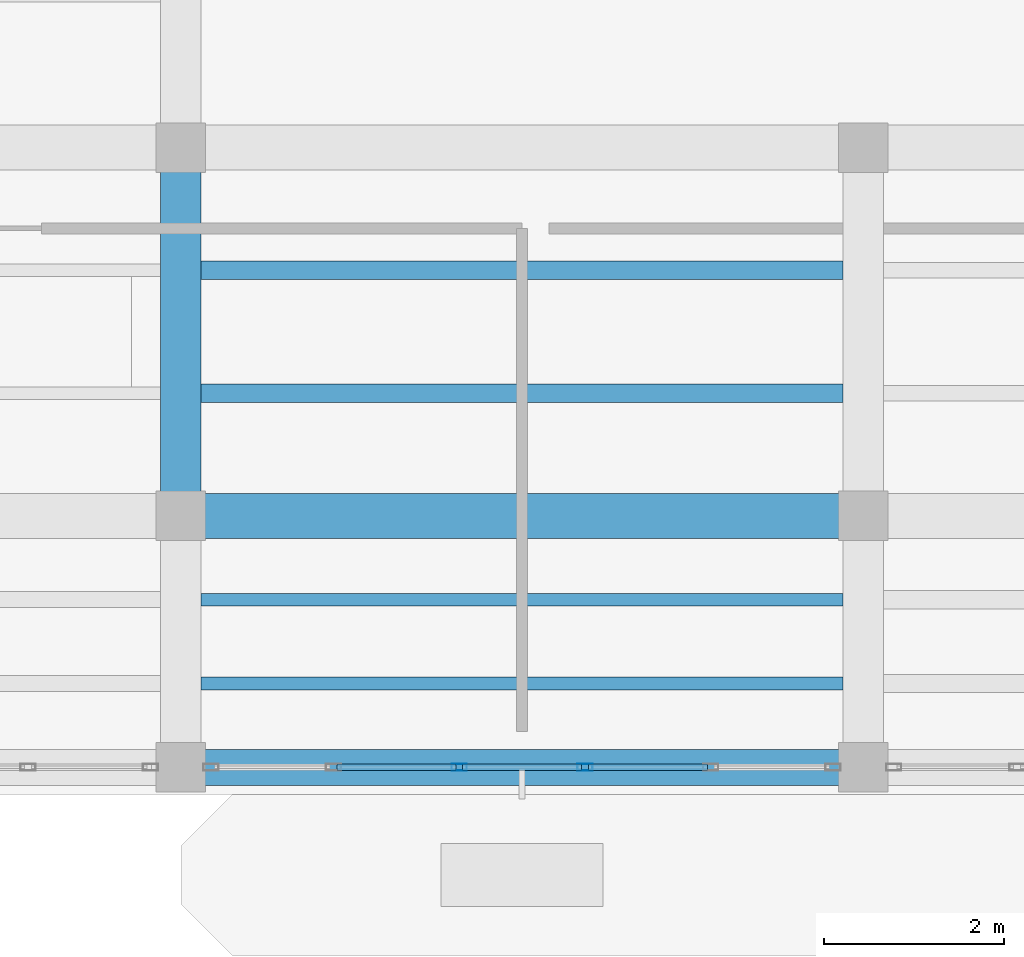
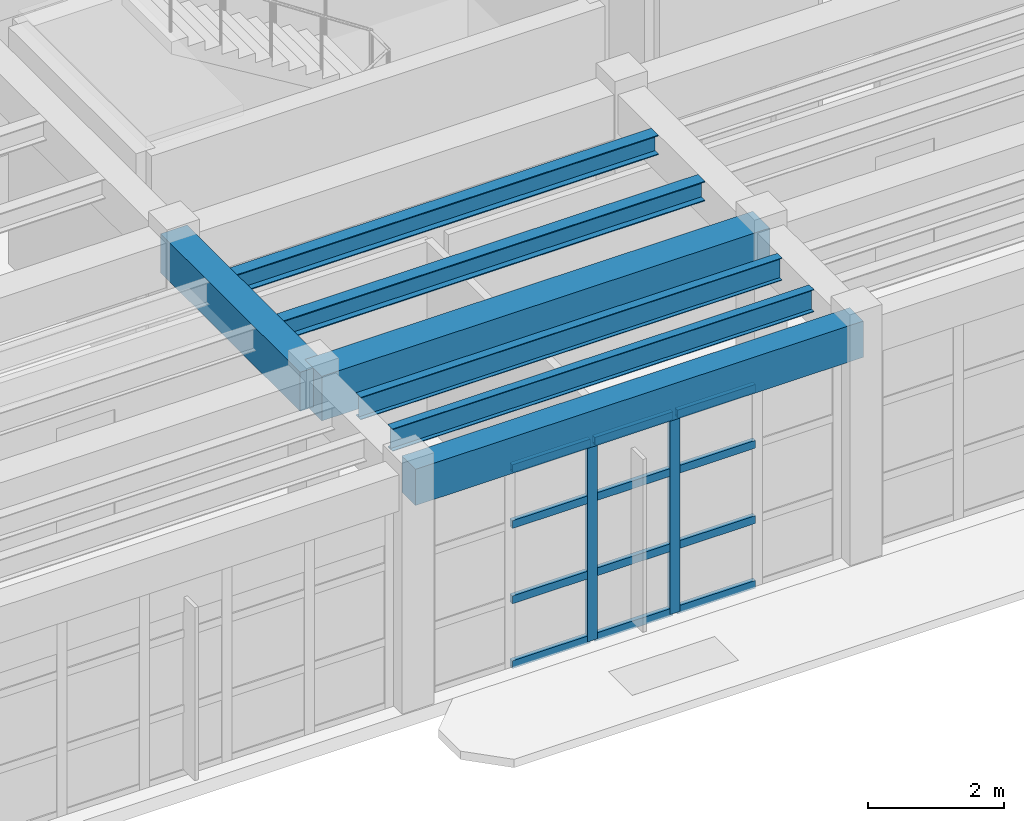
# One storey, part 22 of 85: 14 members, 7 beams, 1 element without a shape of its own.
"""IFC4 building model written with IfcOpenShell, lengths in metres."""

from ifc_helpers import new_model, si_unit, direction, frame, origin, origin_2d, place, context, subcontext, project, spatial, rectangle, hollow_rectangle, i_section, extrude, material, layer, layer_set, material_profile, profile_set, type_object, element, aggregate, save


model = new_model("IFC4")

# Units and contexts
model_context = context("Model", 3, precision=1e-05, world=origin(), true_north=direction((0.0, 1.0)))
body_context = subcontext(model_context, "Body", "Model", "MODEL_VIEW")
ifc_project = project(units=[si_unit("LENGTHUNIT", "METRE"), si_unit("AREAUNIT", "SQUARE_METRE"), si_unit("VOLUMEUNIT", "CUBIC_METRE"), si_unit("PLANEANGLEUNIT", "RADIAN"), si_unit("MASSUNIT", "GRAM", prefix="KILO")], contexts=[model_context])

# Site, building, storey
site_placement = place(None, origin())
site = spatial("IfcSite", under=ifc_project, at=site_placement, CompositionType="ELEMENT")
building_placement = place(site_placement, origin())
building = spatial("IfcBuilding", under=site, at=building_placement, Name="Candilejo Ridge Gondola Terminal", CompositionType="ELEMENT")
storey_placement = place(building_placement, frame((0.0, 0.0, 4.5)))
storey = spatial("IfcBuildingStorey", under=building, at=storey_placement, Name="L01", CompositionType="ELEMENT", Elevation=4.5)

# Curtain wall, members
ifc_material_1 = material(Name="Anodised aluminium AA 6063-T6", Category="aluminium")
ifc_layer = layer(ifc_material_1, 0.169921875)
ifc_layer_set = layer_set([ifc_layer], Name="ARC-CW-CONCOURSE-3600-700X359")
curtain_wall_type = type_object("IfcCurtainWallType", Name="ARC-CW-CONCOURSE-3600-700X359", PredefinedType="NOTDEFINED", material=ifc_layer_set)
curtain_wall_placement = place(storey_placement, origin())
curtain_wall = element("IfcCurtainWall", 1, at=curtain_wall_placement, inside=storey, type_object=curtain_wall_type, Name="Curtain wall V3 L01-073", PredefinedType="NOTDEFINED")
ifc_material_2 = material(Name="Anodised aluminium AA 6063-T6", Category="aluminium")
ifc_material_profile_1 = material_profile(ifc_material_2, hollow_rectangle(XDim=0.074951171875, YDim=0.169921875, WallThickness=0.00390625, at=origin_2d()))
ifc_profile_set_1 = profile_set([ifc_material_profile_1], Name="Anodised aluminium AA 6063-T6")
member_type_1 = type_object("IfcMemberType", Name="ARC-CW-MULLION", PredefinedType="MULLION", material=ifc_profile_set_1)
member_1_placement = place(storey_placement, frame((97.699951171875, 22.89990234375, 0.0), z_axis=(0.0, 0.0, 1.0), x_axis=(0.0, 1.0, 0.0)))
member_1 = element("IfcMember", 2, at=member_1_placement, type_object=member_type_1, Name="CW-70X35 mullion 3", PredefinedType="MULLION", context=body_context, shape_type="SweptSolid", body=[
    extrude(hollow_rectangle(XDim=0.074951171875, YDim=0.169921875, WallThickness=0.00390625, at=origin_2d()), origin(), (0.0, 0.0, 1.0), 3.590087890625),
])
member_2_placement = place(storey_placement, frame((99.10009765625, 22.89990234375, 0.0), z_axis=(0.0, 0.0, 1.0), x_axis=(0.0, 1.0, 0.0)))
member_2 = element("IfcMember", 3, at=member_2_placement, type_object=member_type_1, Name="CW-70X35 mullion 4", PredefinedType="MULLION", context=body_context, shape_type="SweptSolid", body=[
    extrude(hollow_rectangle(XDim=0.074951171875, YDim=0.169921875, WallThickness=0.00390625, at=origin_2d()), origin(), (0.0, 0.0, 1.0), 3.590087890625),
])
ifc_material_3 = material(Name="Anodised aluminium AA 6063-T6", Category="aluminium")
ifc_material_profile_2 = material_profile(ifc_material_3, hollow_rectangle(XDim=0.074951171875, YDim=0.139892578125, WallThickness=0.00390625, at=origin_2d()))
ifc_profile_set_2 = profile_set([ifc_material_profile_2], Name="Anodised aluminium AA 6063-T6")
member_type_2 = type_object("IfcMemberType", Name="ARC-CW-TRANSOM", PredefinedType="USERDEFINED", material=ifc_profile_set_2)
member_3_placement = place(storey_placement, frame((96.33740234375, 22.89990234375, 0.03759765625), z_axis=(1.0, 0.0, 0.0), x_axis=(0.0, 1.0, 0.0)))
member_3 = element("IfcMember", 4, at=member_3_placement, type_object=member_type_2, Name="CW-70X35 transom 2.1", ObjectType="TRANSOM", PredefinedType="USERDEFINED", context=body_context, shape_type="SweptSolid", body=[
    extrude(hollow_rectangle(XDim=0.074951171875, YDim=0.139892578125, WallThickness=0.00390625, at=origin_2d()), origin(), (0.0, 0.0, 1.0), 1.3251953125),
])
member_4_placement = place(storey_placement, frame((96.33740234375, 22.89990234375, 1.199951171875), z_axis=(1.0, 0.0, 0.0), x_axis=(0.0, 1.0, 0.0)))
member_4 = element("IfcMember", 5, at=member_4_placement, type_object=member_type_2, Name="CW-70X35 transom 2.2", ObjectType="TRANSOM", PredefinedType="USERDEFINED", context=body_context, shape_type="SweptSolid", body=[
    extrude(hollow_rectangle(XDim=0.074951171875, YDim=0.139892578125, WallThickness=0.00390625, at=origin_2d()), origin(), (0.0, 0.0, 1.0), 1.3251953125),
])
member_5_placement = place(storey_placement, frame((96.33740234375, 22.89990234375, 2.550048828125), z_axis=(1.0, 0.0, 0.0), x_axis=(0.0, 1.0, 0.0)))
member_5 = element("IfcMember", 6, at=member_5_placement, type_object=member_type_2, Name="CW-70X35 transom 2.3", ObjectType="TRANSOM", PredefinedType="USERDEFINED", context=body_context, shape_type="SweptSolid", body=[
    extrude(hollow_rectangle(XDim=0.074951171875, YDim=0.139892578125, WallThickness=0.00390625, at=origin_2d()), origin(), (0.0, 0.0, 1.0), 1.3251953125),
])
member_6_placement = place(storey_placement, frame((96.33740234375, 22.89990234375, 3.552490234375), z_axis=(1.0, 0.0, 0.0), x_axis=(0.0, 1.0, 0.0)))
member_6 = element("IfcMember", 7, at=member_6_placement, type_object=member_type_2, Name="CW-70X35 transom 2.4", ObjectType="TRANSOM", PredefinedType="USERDEFINED", context=body_context, shape_type="SweptSolid", body=[
    extrude(hollow_rectangle(XDim=0.074951171875, YDim=0.139892578125, WallThickness=0.00390625, at=origin_2d()), origin(), (0.0, 0.0, 1.0), 1.3251953125),
])
member_7_placement = place(storey_placement, frame((97.737548828125, 22.89990234375, 0.03759765625), z_axis=(1.0, 0.0, 0.0), x_axis=(0.0, 1.0, 0.0)))
member_7 = element("IfcMember", 8, at=member_7_placement, type_object=member_type_2, Name="CW-70X35 transom 3.1", ObjectType="TRANSOM", PredefinedType="USERDEFINED", context=body_context, shape_type="SweptSolid", body=[
    extrude(hollow_rectangle(XDim=0.074951171875, YDim=0.139892578125, WallThickness=0.00390625, at=origin_2d()), origin(), (0.0, 0.0, 1.0), 1.324951171875),
])
member_8_placement = place(storey_placement, frame((97.737548828125, 22.89990234375, 1.199951171875), z_axis=(1.0, 0.0, 0.0), x_axis=(0.0, 1.0, 0.0)))
member_8 = element("IfcMember", 9, at=member_8_placement, type_object=member_type_2, Name="CW-70X35 transom 3.2", ObjectType="TRANSOM", PredefinedType="USERDEFINED", context=body_context, shape_type="SweptSolid", body=[
    extrude(hollow_rectangle(XDim=0.074951171875, YDim=0.139892578125, WallThickness=0.00390625, at=origin_2d()), origin(), (0.0, 0.0, 1.0), 1.324951171875),
])
member_9_placement = place(storey_placement, frame((97.737548828125, 22.89990234375, 2.550048828125), z_axis=(1.0, 0.0, 0.0), x_axis=(0.0, 1.0, 0.0)))
member_9 = element("IfcMember", 10, at=member_9_placement, type_object=member_type_2, Name="CW-70X35 transom 3.3", ObjectType="TRANSOM", PredefinedType="USERDEFINED", context=body_context, shape_type="SweptSolid", body=[
    extrude(hollow_rectangle(XDim=0.074951171875, YDim=0.139892578125, WallThickness=0.00390625, at=origin_2d()), origin(), (0.0, 0.0, 1.0), 1.324951171875),
])
member_10_placement = place(storey_placement, frame((97.737548828125, 22.89990234375, 3.552490234375), z_axis=(1.0, 0.0, 0.0), x_axis=(0.0, 1.0, 0.0)))
member_10 = element("IfcMember", 11, at=member_10_placement, type_object=member_type_2, Name="CW-70X35 transom 3.4", ObjectType="TRANSOM", PredefinedType="USERDEFINED", context=body_context, shape_type="SweptSolid", body=[
    extrude(hollow_rectangle(XDim=0.074951171875, YDim=0.139892578125, WallThickness=0.00390625, at=origin_2d()), origin(), (0.0, 0.0, 1.0), 1.324951171875),
])
member_11_placement = place(storey_placement, frame((99.137451171875, 22.89990234375, 0.03759765625), z_axis=(1.0, 0.0, 0.0), x_axis=(0.0, 1.0, 0.0)))
member_11 = element("IfcMember", 12, at=member_11_placement, type_object=member_type_2, Name="CW-70X35 transom 4.1", ObjectType="TRANSOM", PredefinedType="USERDEFINED", context=body_context, shape_type="SweptSolid", body=[
    extrude(hollow_rectangle(XDim=0.074951171875, YDim=0.139892578125, WallThickness=0.00390625, at=origin_2d()), origin(), (0.0, 0.0, 1.0), 1.324951171875),
])
member_12_placement = place(storey_placement, frame((99.137451171875, 22.89990234375, 1.199951171875), z_axis=(1.0, 0.0, 0.0), x_axis=(0.0, 1.0, 0.0)))
member_12 = element("IfcMember", 13, at=member_12_placement, type_object=member_type_2, Name="CW-70X35 transom 4.2", ObjectType="TRANSOM", PredefinedType="USERDEFINED", context=body_context, shape_type="SweptSolid", body=[
    extrude(hollow_rectangle(XDim=0.074951171875, YDim=0.139892578125, WallThickness=0.00390625, at=origin_2d()), origin(), (0.0, 0.0, 1.0), 1.324951171875),
])
member_13_placement = place(storey_placement, frame((99.137451171875, 22.89990234375, 2.550048828125), z_axis=(1.0, 0.0, 0.0), x_axis=(0.0, 1.0, 0.0)))
member_13 = element("IfcMember", 14, at=member_13_placement, type_object=member_type_2, Name="CW-70X35 transom 4.3", ObjectType="TRANSOM", PredefinedType="USERDEFINED", context=body_context, shape_type="SweptSolid", body=[
    extrude(hollow_rectangle(XDim=0.074951171875, YDim=0.139892578125, WallThickness=0.00390625, at=origin_2d()), origin(), (0.0, 0.0, 1.0), 1.324951171875),
])
member_14_placement = place(storey_placement, frame((99.137451171875, 22.89990234375, 3.552490234375), z_axis=(1.0, 0.0, 0.0), x_axis=(0.0, 1.0, 0.0)))
member_14 = element("IfcMember", 15, at=member_14_placement, type_object=member_type_2, Name="CW-70X35 transom 4.4", ObjectType="TRANSOM", PredefinedType="USERDEFINED", context=body_context, shape_type="SweptSolid", body=[
    extrude(hollow_rectangle(XDim=0.074951171875, YDim=0.139892578125, WallThickness=0.00390625, at=origin_2d()), origin(), (0.0, 0.0, 1.0), 1.324951171875),
])
aggregate(curtain_wall, [member_1, member_2, member_3, member_4, member_5, member_6, member_7, member_8, member_9, member_10, member_11, member_12, member_13, member_14])

# Beams
ifc_material_4 = material(Name="Concrete f'c 35 MPa (C35/45)", Category="concrete")
ifc_material_profile_3 = material_profile(ifc_material_4, rectangle(XDim=0.449951171875, YDim=0.699951171875, at=origin_2d()))
ifc_profile_set_3 = profile_set([ifc_material_profile_3], Name="Concrete f'c 35 MPa (C35/45)")
beam_type_1 = type_object("IfcBeamType", Name="STR-BM-RC450X700", PredefinedType="BEAM", material=ifc_profile_set_3)
beam_1_placement = place(storey_placement, frame((94.60009765625, 25.699951171875, 3.89990234375), z_axis=(0.0, 1.0, 0.0), x_axis=(-1.0, 0.0, 0.0)))
element("IfcBeam", 16, at=beam_1_placement, inside=storey, type_object=beam_type_1, Name="Beam Y V3 L01 Y05-Y06@X15", PredefinedType="BEAM", context=body_context, shape_type="SweptSolid", body=[
    extrude(rectangle(XDim=0.449951171875, YDim=0.699951171875, at=origin_2d()), origin(), (0.0, 0.0, 1.0), 4.10009765625),
])
ifc_material_5 = material(Name="Concrete f'c 35 MPa (C35/45)", Category="concrete")
ifc_material_profile_4 = material_profile(ifc_material_5, rectangle(XDim=0.5, YDim=0.800048828125, at=origin_2d()))
ifc_profile_set_4 = profile_set([ifc_material_profile_4], Name="Concrete f'c 35 MPa (C35/45)")
beam_type_2 = type_object("IfcBeamType", Name="STR-BM-RC500X800", PredefinedType="BEAM", material=ifc_profile_set_4)
beam_2_placement = place(storey_placement, frame((94.60009765625, 25.699951171875, 3.85009765625), z_axis=(1.0, 0.0, 0.0), x_axis=(0.0, 1.0, 0.0)))
element("IfcBeam", 17, at=beam_2_placement, inside=storey, type_object=beam_type_2, Name="Beam X V3 L01 X15-X16@Y05", PredefinedType="BEAM", context=body_context, shape_type="SweptSolid", body=[
    extrude(rectangle(XDim=0.5, YDim=0.800048828125, at=origin_2d()), origin(), (0.0, 0.0, 1.0), 7.599853515625),
])
ifc_material_6 = material(Name="Steel ASTM A992 Grade 50", Category="steel")
ifc_material_profile_5 = material_profile(ifc_material_6, i_section(OverallWidth=0.205078125, OverallDepth=0.35400390625, WebThickness=0.009521484375, FlangeThickness=0.016845703125, at=origin_2d()))
ifc_profile_set_5 = profile_set([ifc_material_profile_5], Name="Steel ASTM A992 Grade 50")
beam_type_3 = type_object("IfcBeamType", Name="STR-JST-W360X79", PredefinedType="JOIST", material=ifc_profile_set_5)
for number, where, z_axis, x_axis, name in (
    (18, (94.824951171875, 27.066650390625, 4.072998046875), (1.0, 0.0, 0.0), (0.0, 1.0, 0.0), "Composite joist V3 L01-0488"),
    (19, (94.824951171875, 28.433349609375, 4.072998046875), (1.0, 0.0, 0.0), (0.0, 1.0, 0.0), "Composite joist V3 L01-0489"),
):
    element("IfcBeam", number, at=place(storey_placement, frame(where, z_axis=z_axis, x_axis=x_axis)), inside=storey, type_object=beam_type_3, Name=name, PredefinedType="JOIST", context=body_context, shape_type="SweptSolid", body=[
        extrude(i_section(OverallWidth=0.205078125, OverallDepth=0.35400390625, WebThickness=0.009521484375, FlangeThickness=0.016845703125, at=origin_2d()), origin(), (0.0, 0.0, 1.0), 7.150146484375),
    ])
ifc_material_7 = material(Name="Steel ASTM A992 Grade 50", Category="steel")
ifc_material_profile_6 = material_profile(ifc_material_7, i_section(OverallWidth=0.139892578125, OverallDepth=0.403076171875, WebThickness=0.007080078125, FlangeThickness=0.01123046875, at=origin_2d()))
ifc_profile_set_6 = profile_set([ifc_material_profile_6], Name="Steel ASTM A992 Grade 50")
beam_type_4 = type_object("IfcBeamType", Name="STR-JST-W410X46", PredefinedType="JOIST", material=ifc_profile_set_6)
for number, where, z_axis, x_axis, name in (
    (20, (94.824951171875, 23.833251953125, 4.048583984375), (1.0, 0.0, 0.0), (0.0, 1.0, 0.0), "Composite joist V3 L01-0486"),
    (21, (94.824951171875, 24.7666015625, 4.048583984375), (1.0, 0.0, 0.0), (0.0, 1.0, 0.0), "Composite joist V3 L01-0487"),
):
    element("IfcBeam", number, at=place(storey_placement, frame(where, z_axis=z_axis, x_axis=x_axis)), inside=storey, type_object=beam_type_4, Name=name, PredefinedType="JOIST", context=body_context, shape_type="SweptSolid", body=[
        extrude(i_section(OverallWidth=0.139892578125, OverallDepth=0.403076171875, WebThickness=0.007080078125, FlangeThickness=0.01123046875, at=origin_2d()), origin(), (0.0, 0.0, 1.0), 7.150146484375),
    ])
ifc_material_8 = material(Name="Concrete f'c 35 MPa (C35/45)", Category="concrete")
ifc_material_profile_7 = material_profile(ifc_material_8, rectangle(XDim=0.39990234375, YDim=0.64990234375, at=origin_2d()))
ifc_profile_set_7 = profile_set([ifc_material_profile_7], Name="Concrete f'c 35 MPa (C35/45)")
beam_type_5 = type_object("IfcBeamType", Name="STR-SPN-RC400X650", PredefinedType="SPANDREL", material=ifc_profile_set_7)
beam_3_placement = place(storey_placement, frame((94.60009765625, 22.89990234375, 3.925048828125), z_axis=(1.0, 0.0, 0.0), x_axis=(0.0, 1.0, 0.0)))
element("IfcBeam", 22, at=beam_3_placement, inside=storey, type_object=beam_type_5, Name="Beam X V3 L01 X15-X16@Y04", PredefinedType="SPANDREL", context=body_context, shape_type="SweptSolid", body=[
    extrude(rectangle(XDim=0.39990234375, YDim=0.64990234375, at=origin_2d()), origin(), (0.0, 0.0, 1.0), 7.599853515625),
])

save(model, "model.ifc")
